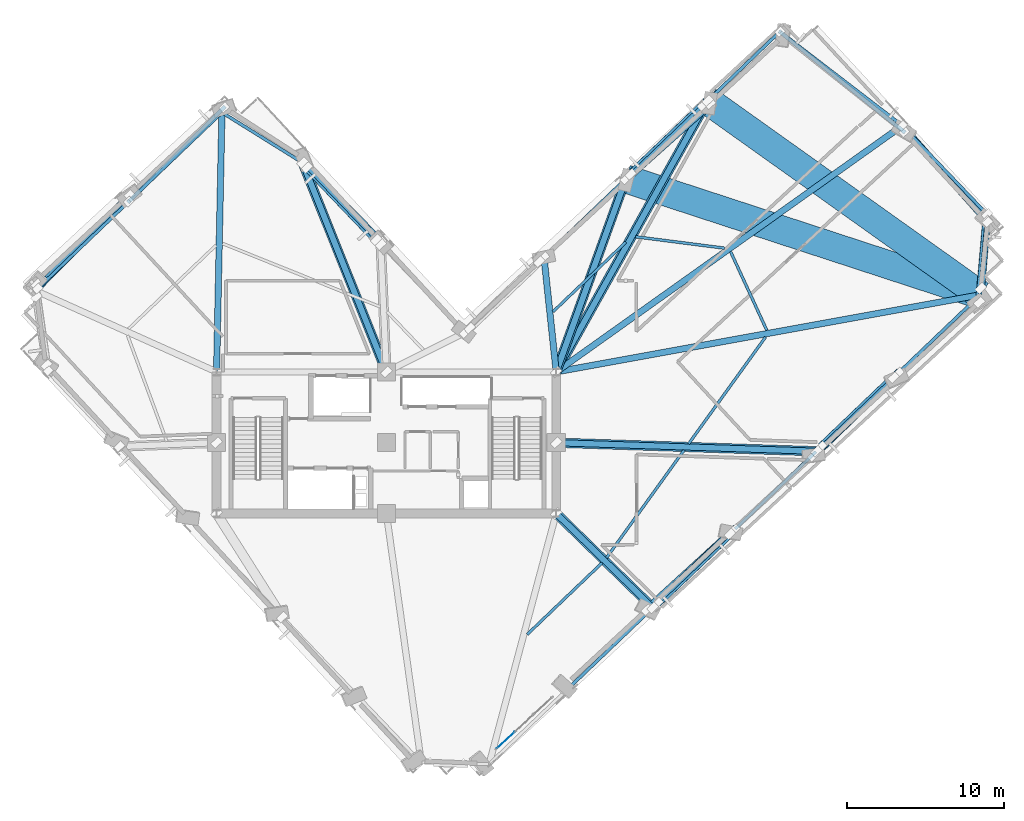
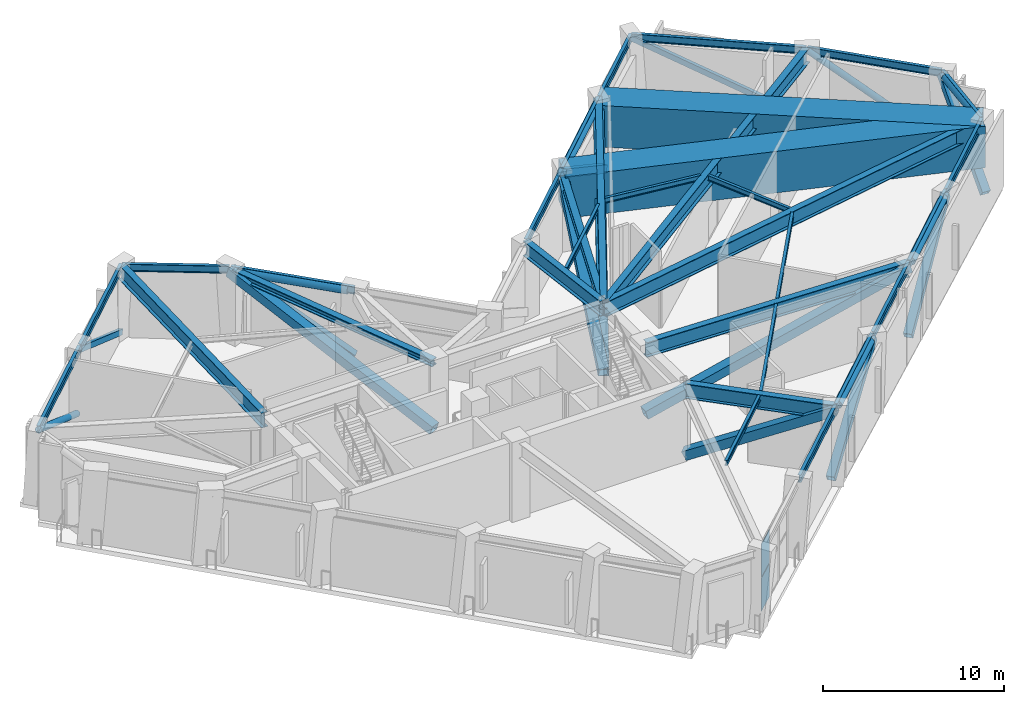
# One storey, part 4 of 15: 30 beams, 21 members, 2 plates, 1 element without a shape of its own.
"""IFC4 building model written with IfcOpenShell, lengths in metres."""

from ifc_helpers import new_model, si_unit, direction, frame, origin, origin_2d, place, context, subcontext, project, spatial, rectangle, hollow_rectangle, hollow_circle, i_section, extrude, material, layer, layer_set, material_profile, profile_set, type_object, element, aggregate, save


model = new_model("IFC4")

# Units and contexts
model_context = context("Model", 3, precision=1e-05, world=origin(), true_north=direction((0.0, 1.0)))
body_context = subcontext(model_context, "Body", "Model", "MODEL_VIEW")
ifc_project = project(units=[si_unit("LENGTHUNIT", "METRE"), si_unit("AREAUNIT", "SQUARE_METRE"), si_unit("VOLUMEUNIT", "CUBIC_METRE"), si_unit("PLANEANGLEUNIT", "RADIAN"), si_unit("MASSUNIT", "GRAM", prefix="KILO")], contexts=[model_context])

# Site, building, storey
site_placement = place(None, origin())
site = spatial("IfcSite", under=ifc_project, at=site_placement, CompositionType="ELEMENT")
building_placement = place(site_placement, origin())
building = spatial("IfcBuilding", under=site, at=building_placement, Name="Gaonmaruhae Medical Tower", CompositionType="ELEMENT")
storey_placement = place(building_placement, frame((0.0, 0.0, 205.800048828125)))
storey = spatial("IfcBuildingStorey", under=building, at=storey_placement, Name="L49", CompositionType="ELEMENT", Elevation=205.800048828125)

# Beams
ifc_material_1 = material(Name="Steel SM420", Category="steel")
ifc_material_profile_1 = material_profile(ifc_material_1, i_section(OverallWidth=0.39990234375, OverallDepth=1.0, WebThickness=0.02197265625, FlangeThickness=0.035888671875, at=origin_2d()), Name="BH-1000x400x22x36")
ifc_profile_set_1 = profile_set([ifc_material_profile_1], Name="Steel SM420")
beam_type_1 = type_object("IfcBeamType", Name="BG-02 Refuge Floor Primary Girder (BH-1000x400x22x36)", PredefinedType="BEAM", material=ifc_profile_set_1)
beam_1_placement = place(storey_placement, frame((35.6357421875, 7.76513671875, 4.679931640625), z_axis=(0.715659486404, -0.698449353583, 0.0), x_axis=(0.698449353583, 0.715659486404, 0.0)))
element("IfcBeam", 1, at=beam_1_placement, inside=storey, type_object=beam_type_1, Name="L49 Radial Primary Girder S03", PredefinedType="BEAM", context=body_context, shape_type="SweptSolid", body=[
    extrude(i_section(OverallWidth=0.39990234375, OverallDepth=1.0, WebThickness=0.02197265625, FlangeThickness=0.035888671875, at=origin_2d()), origin(), (0.0, 0.0, 1.0), 8.483154296875),
])
beam_2_placement = place(storey_placement, frame((35.64990234375, 12.29833984375, 4.679931640625), z_axis=(0.999456417926, -0.032967691259, 0.0), x_axis=(0.032967691259, 0.999456417926, 0.0)))
element("IfcBeam", 2, at=beam_2_placement, inside=storey, type_object=beam_type_1, Name="L49 Radial Primary Girder S05", PredefinedType="BEAM", context=body_context, shape_type="SweptSolid", body=[
    extrude(i_section(OverallWidth=0.39990234375, OverallDepth=1.0, WebThickness=0.02197265625, FlangeThickness=0.035888671875, at=origin_2d()), origin(), (0.0, 0.0, 1.0), 16.46240234375),
])
beam_3_placement = place(storey_placement, frame((35.649169921875, 16.808837890625, 4.659912109375), z_axis=(0.983869051759, 0.17889015901, 0.0), x_axis=(-0.17889015901, 0.983869051759, 0.0)))
element("IfcBeam", 3, at=beam_3_placement, inside=storey, type_object=beam_type_1, Name="L49 Radial Primary Girder S07", PredefinedType="BEAM", context=body_context, shape_type="SweptSolid", body=[
    extrude(i_section(OverallWidth=0.39990234375, OverallDepth=1.0, WebThickness=0.02197265625, FlangeThickness=0.035888671875, at=origin_2d()), origin(), (0.0, 0.0, 1.0), 27.305908203125),
])
beam_4_placement = place(storey_placement, frame((35.640625, 16.8291015625, 4.659912109375), z_axis=(0.814809053605, 0.579729424959, 0.0), x_axis=(-0.579729424959, 0.814809053605, 0.0)))
element("IfcBeam", 4, at=beam_4_placement, inside=storey, type_object=beam_type_1, Name="L49 Radial Primary Girder E02", PredefinedType="BEAM", context=body_context, shape_type="SweptSolid", body=[
    extrude(i_section(OverallWidth=0.39990234375, OverallDepth=1.0, WebThickness=0.02197265625, FlangeThickness=0.035888671875, at=origin_2d()), origin(), (0.0, 0.0, 1.0), 26.911865234375),
])
beam_5_placement = place(storey_placement, frame((35.624267578125, 16.84375, 4.679931640625), z_axis=(0.487575812064, 0.873080653485, 0.0), x_axis=(-0.873080653485, 0.487575812064, 0.0)))
element("IfcBeam", 5, at=beam_5_placement, inside=storey, type_object=beam_type_1, Name="L49 Radial Primary Girder EN01", PredefinedType="BEAM", context=body_context, shape_type="SweptSolid", body=[
    extrude(i_section(OverallWidth=0.39990234375, OverallDepth=1.0, WebThickness=0.02197265625, FlangeThickness=0.035888671875, at=origin_2d()), origin(), (0.0, 0.0, 1.0), 19.656494140625),
])
beam_6_placement = place(storey_placement, frame((35.5947265625, 16.849609375, 4.679931640625), z_axis=(-0.105993869018, 0.9943667833, 0.0), x_axis=(-0.9943667833, -0.105993869018, 0.0)))
element("IfcBeam", 6, at=beam_6_placement, inside=storey, type_object=beam_type_1, Name="L49 Radial Primary Girder EN03", PredefinedType="BEAM", context=body_context, shape_type="SweptSolid", body=[
    extrude(i_section(OverallWidth=0.39990234375, OverallDepth=1.0, WebThickness=0.02197265625, FlangeThickness=0.035888671875, at=origin_2d()), origin(), (0.0, 0.0, 1.0), 7.24169921875),
])
beam_7_placement = place(storey_placement, frame((14.0009765625, 16.85009765625, 4.679931640625), z_axis=(0.020747609712, 0.999784745178, 0.0), x_axis=(-0.999784745178, 0.020747609712, 0.0)))
element("IfcBeam", 7, at=beam_7_placement, inside=storey, type_object=beam_type_1, Name="L49 Radial Primary Girder N01", PredefinedType="BEAM", context=body_context, shape_type="SweptSolid", body=[
    extrude(i_section(OverallWidth=0.39990234375, OverallDepth=1.0, WebThickness=0.02197265625, FlangeThickness=0.035888671875, at=origin_2d()), origin(), (0.0, 0.0, 1.0), 16.4033203125),
])

# Members
ifc_material_2 = material(Name="Steel HSA650 (650 MPa)", Category="steel")
ifc_material_profile_2 = material_profile(ifc_material_2, hollow_circle(Radius=0.25390625, WallThickness=0.01611328125, at=origin_2d()), Name="CHS-508.0x16.0")
ifc_profile_set_2 = profile_set([ifc_material_profile_2], Name="Steel HSA650 (650 MPa)")
member_type_1 = type_object("IfcMemberType", Name="BT-C1 Belt Truss Perimeter Chord (CHS-508.0x16.0)", PredefinedType="CHORD", material=ifc_profile_set_2)
for number, where, z_axis, x_axis, name in (
    (8, (42.046142578125, 2.09521484375, 4.829833984375), (0.722970239206, 0.690879174112, 0.0), (-0.690879174112, 0.722970239206, 0.0), "L49 Belt Truss Top Chord BTC01"),
    (9, (52.456787109375, 12.0439453125, 4.829833984375), (0.722970239206, 0.690879174112, 0.0), (-0.690879174112, 0.722970239206, 0.0), "L49 Belt Truss Top Chord BTC02"),
):
    element("IfcMember", number, at=place(storey_placement, frame(where, z_axis=z_axis, x_axis=x_axis)), inside=storey, type_object=member_type_1, Name=name, PredefinedType="CHORD", context=body_context, shape_type="SweptSolid", body=[
        extrude(hollow_circle(Radius=0.25390625, WallThickness=0.01611328125, at=origin_2d()), origin(), (0.0, 0.0, 1.0), 6.360107421875),
    ])
member_1_placement = place(storey_placement, frame((62.599365234375, 22.12109375, 4.829833984375), z_axis=(0.084611376534, 0.996414027883, 0.0), x_axis=(-0.996414027883, 0.084611376534, 0.0)))
element("IfcMember", 10, at=member_1_placement, inside=storey, type_object=member_type_1, Name="L49 Belt Truss Top Chord BTC03", PredefinedType="CHORD", context=body_context, shape_type="SweptSolid", body=[
    extrude(hollow_circle(Radius=0.25390625, WallThickness=0.01611328125, at=origin_2d()), origin(), (0.0, 0.0, 1.0), 4.29638671875),
])
member_2_placement = place(storey_placement, frame((44.928955078125, 33.7587890625, 4.829833984375), z_axis=(-0.722989412891, -0.69085910926, 0.0), x_axis=(0.69085910926, -0.722989412891, 0.0)))
element("IfcMember", 11, at=member_2_placement, inside=storey, type_object=member_type_1, Name="L49 Belt Truss Top Chord BTC04", PredefinedType="CHORD", context=body_context, shape_type="SweptSolid", body=[
    extrude(hollow_circle(Radius=0.25390625, WallThickness=0.01611328125, at=origin_2d()), origin(), (0.0, 0.0, 1.0), 6.35986328125),
])
member_3_placement = place(storey_placement, frame((24.15283203125, 25.205322265625, 4.829833984375), z_axis=(-0.690879174112, 0.722970239206, 0.0), x_axis=(-0.722970239206, -0.690879174112, 0.0)))
element("IfcMember", 12, at=member_3_placement, inside=storey, type_object=member_type_1, Name="L49 Belt Truss Top Chord BTC06", PredefinedType="CHORD", context=body_context, shape_type="SweptSolid", body=[
    extrude(hollow_circle(Radius=0.25390625, WallThickness=0.01611328125, at=origin_2d()), origin(), (0.0, 0.0, 1.0), 6.360107421875),
])
ifc_material_profile_3 = material_profile(ifc_material_2, hollow_rectangle(XDim=0.5, YDim=0.5, WallThickness=0.02197265625, at=origin_2d()), Name="RHS-500x500x22")
ifc_profile_set_3 = profile_set([ifc_material_profile_3], Name="Steel HSA650 (650 MPa)")
member_type_2 = type_object("IfcMemberType", Name="BT-D1 Belt Truss Diagonal Heavy (RHS-500x500x22)", PredefinedType="BRACE", material=ifc_profile_set_3)
member_4_placement = place(storey_placement, frame((41.360107421875, 1.67333984375, 0.349853515625), z_axis=(0.63526626079, 0.580530163168, 0.509334376961), x_axis=(-0.674588979587, 0.738193544146, 0.0)))
element("IfcMember", 13, at=member_4_placement, inside=storey, type_object=member_type_2, Name="L49 Belt Truss Diagonal BTD01", PredefinedType="BRACE", context=body_context, shape_type="SweptSolid", body=[
    extrude(hollow_rectangle(XDim=0.5, YDim=0.5, WallThickness=0.02197265625, at=origin_2d()), origin(), (0.0, 0.0, 1.0), 8.795654296875),
])
member_5_placement = place(storey_placement, frame((51.934326171875, 11.447998046875, 0.349853515625), z_axis=(0.616659556593, 0.600284134035, 0.509303396502), x_axis=(-0.697528672164, 0.716556872487, 0.0)))
element("IfcMember", 14, at=member_5_placement, inside=storey, type_object=member_type_2, Name="L49 Belt Truss Diagonal BTD02", PredefinedType="BRACE", context=body_context, shape_type="SweptSolid", body=[
    extrude(hollow_rectangle(XDim=0.5, YDim=0.5, WallThickness=0.02197265625, at=origin_2d()), origin(), (0.0, 0.0, 1.0), 8.79638671875),
])
member_6_placement = place(storey_placement, frame((62.508544921875, 21.22265625, 0.349853515625), z_axis=(0.068147551989, 0.778940787418, 0.623383638585), x_axis=(-0.996194802077, 0.087154554188, 0.0)))
element("IfcMember", 15, at=member_6_placement, inside=storey, type_object=member_type_2, Name="L49 Belt Truss Diagonal BTD03", PredefinedType="BRACE", context=body_context, shape_type="SweptSolid", body=[
    extrude(hollow_rectangle(XDim=0.5, YDim=0.5, WallThickness=0.02197265625, at=origin_2d()), origin(), (0.0, 0.0, 1.0), 7.1865234375),
])
member_7_placement = place(storey_placement, frame((45.38427734375, 33.85498046875, 0.349853515625), z_axis=(-0.633002228731, -0.564861163, 0.529377034783), x_axis=(0.665806262393, -0.74612466851, 0.0)))
element("IfcMember", 16, at=member_7_placement, inside=storey, type_object=member_type_2, Name="L49 Belt Truss Diagonal BTD04", PredefinedType="BRACE", context=body_context, shape_type="SweptSolid", body=[
    extrude(hollow_rectangle(XDim=0.5, YDim=0.5, WallThickness=0.02197265625, at=origin_2d()), origin(), (0.0, 0.0, 1.0), 8.462646484375),
])
member_8_placement = place(storey_placement, frame((24.44580078125, 25.053466796875, 0.349853515625), z_axis=(-0.593276816348, 0.602385348428, 0.533998605974), x_axis=(-0.712472834067, -0.701699694112, 0.0)))
element("IfcMember", 17, at=member_8_placement, inside=storey, type_object=member_type_2, Name="L49 Belt Truss Diagonal BTD06", PredefinedType="BRACE", context=body_context, shape_type="SweptSolid", body=[
    extrude(hollow_rectangle(XDim=0.5, YDim=0.5, WallThickness=0.02197265625, at=origin_2d()), origin(), (0.0, 0.0, 1.0), 8.389404296875),
])

# Beams
ifc_material_3 = material(Name="Steel SM355", Category="steel")
ifc_material_profile_4 = material_profile(ifc_material_3, i_section(OverallWidth=0.175048828125, OverallDepth=0.35009765625, WebThickness=0.007080078125, FlangeThickness=0.010986328125, FilletRadius=0.012939453125, at=origin_2d()), Name="H-350x175x7x11")
ifc_profile_set_4 = profile_set([ifc_material_profile_4], Name="Steel SM355")
beam_type_2 = type_object("IfcBeamType", Name="FJ-02 Upper Zone Ward Floor Joist (H-350x175x7x11)", PredefinedType="JOIST", material=ifc_profile_set_4)
beam_8_placement = place(storey_placement, frame((33.748291015625, 0.09814453125, 5.0048828125), z_axis=(0.72297099226, 0.690878386078, 0.0), x_axis=(-0.690878386078, 0.72297099226, 0.0)))
element("IfcBeam", 18, at=beam_8_placement, inside=storey, type_object=beam_type_2, Name="L49 Secondary Floor Joist FJ01", PredefinedType="JOIST", context=body_context, shape_type="SweptSolid", body=[
    extrude(i_section(OverallWidth=0.175048828125, OverallDepth=0.35009765625, WebThickness=0.007080078125, FlangeThickness=0.010986328125, FilletRadius=0.012939453125, at=origin_2d()), origin(), (0.0, 0.0, 1.0), 6.603271484375),
])
beam_9_placement = place(storey_placement, frame((38.79296875, 4.971435546875, 5.0048828125), z_axis=(0.584573395383, 0.81134083184, 0.0), x_axis=(-0.81134083184, 0.584573395383, 0.0)))
element("IfcBeam", 19, at=beam_9_placement, inside=storey, type_object=beam_type_2, Name="L49 Secondary Floor Joist FJ02", PredefinedType="JOIST", context=body_context, shape_type="SweptSolid", body=[
    extrude(i_section(OverallWidth=0.175048828125, OverallDepth=0.35009765625, WebThickness=0.007080078125, FlangeThickness=0.010986328125, FilletRadius=0.012939453125, at=origin_2d()), origin(), (0.0, 0.0, 1.0), 8.44921875),
])
beam_10_placement = place(storey_placement, frame((44.02099609375, 12.227294921875, 5.0048828125), z_axis=(0.584588467571, 0.811329972072, 0.0), x_axis=(-0.811329972072, 0.584588467571, 0.0)))
element("IfcBeam", 20, at=beam_10_placement, inside=storey, type_object=beam_type_2, Name="L49 Secondary Floor Joist FJ03", PredefinedType="JOIST", context=body_context, shape_type="SweptSolid", body=[
    extrude(i_section(OverallWidth=0.175048828125, OverallDepth=0.35009765625, WebThickness=0.007080078125, FlangeThickness=0.010986328125, FilletRadius=0.012939453125, at=origin_2d()), origin(), (0.0, 0.0, 1.0), 8.363037109375),
])
beam_11_placement = place(storey_placement, frame((48.9931640625, 19.4443359375, 5.0048828125), z_axis=(-0.41835989201, 0.908281344495, 0.0), x_axis=(-0.908281344495, -0.41835989201, 0.0)))
element("IfcBeam", 21, at=beam_11_placement, inside=storey, type_object=beam_type_2, Name="L49 Secondary Floor Joist FJ04", PredefinedType="JOIST", context=body_context, shape_type="SweptSolid", body=[
    extrude(i_section(OverallWidth=0.175048828125, OverallDepth=0.35009765625, WebThickness=0.007080078125, FlangeThickness=0.010986328125, FilletRadius=0.012939453125, at=origin_2d()), origin(), (0.0, 0.0, 1.0), 5.49951171875),
])
beam_12_placement = place(storey_placement, frame((46.306640625, 24.668212890625, 5.0048828125), z_axis=(-0.991859137615, 0.127339903921, 0.0), x_axis=(-0.127339903921, -0.991859137615, 0.0)))
element("IfcBeam", 22, at=beam_12_placement, inside=storey, type_object=beam_type_2, Name="L49 Secondary Floor Joist FJ05", PredefinedType="JOIST", context=body_context, shape_type="SweptSolid", body=[
    extrude(i_section(OverallWidth=0.175048828125, OverallDepth=0.35009765625, WebThickness=0.007080078125, FlangeThickness=0.010986328125, FilletRadius=0.012939453125, at=origin_2d()), origin(), (0.0, 0.0, 1.0), 5.71728515625),
])
beam_13_placement = place(storey_placement, frame((40.031494140625, 25.056884765625, 5.0048828125), z_axis=(-0.722961094995, -0.690888742941, 0.0), x_axis=(0.690888742941, -0.722961094995, 0.0)))
element("IfcBeam", 23, at=beam_13_placement, inside=storey, type_object=beam_type_2, Name="L49 Secondary Floor Joist FJ06", PredefinedType="JOIST", context=body_context, shape_type="SweptSolid", body=[
    extrude(i_section(OverallWidth=0.175048828125, OverallDepth=0.35009765625, WebThickness=0.007080078125, FlangeThickness=0.010986328125, FilletRadius=0.012939453125, at=origin_2d()), origin(), (0.0, 0.0, 1.0), 6.409423828125),
])

# Members
ifc_material_profile_5 = material_profile(ifc_material_2, i_section(OverallWidth=0.4169921875, OverallDepth=0.4580078125, WebThickness=0.030029296875, FlangeThickness=0.050048828125, FilletRadius=0.02197265625, at=origin_2d()), Name="H-458x417x30x50")
ifc_profile_set_5 = profile_set([ifc_material_profile_5], Name="Steel HSA650 (650 MPa)")
member_type_3 = type_object("IfcMemberType", Name="OT-C1 Outrigger Truss Chord (H-458x417x30x50)", PredefinedType="CHORD", material=ifc_profile_set_5)
member_9_placement = place(storey_placement, frame((35.60009765625, 16.800048828125, 4.829833984375), z_axis=(0.339287199544, 0.940682835086, 0.0), x_axis=(-0.940682835086, 0.339287199544, 0.0)))
element("IfcMember", 24, at=member_9_placement, inside=storey, type_object=member_type_3, Name="L49 Outrigger Truss Chord OTC04", PredefinedType="CHORD", context=body_context, shape_type="SweptSolid", body=[
    extrude(i_section(OverallWidth=0.4169921875, OverallDepth=0.4580078125, WebThickness=0.030029296875, FlangeThickness=0.050048828125, FilletRadius=0.02197265625, at=origin_2d()), origin(), (0.0, 0.0, 1.0), 13.048583984375),
])
member_10_placement = place(storey_placement, frame((24.800048828125, 16.800048828125, 4.829833984375), z_axis=(-0.371913279398, 0.928267479021, 0.0), x_axis=(-0.928267479021, -0.371913279398, 0.0)))
element("IfcMember", 25, at=member_10_placement, inside=storey, type_object=member_type_3, Name="L49 Outrigger Truss Chord OTC06", PredefinedType="CHORD", context=body_context, shape_type="SweptSolid", body=[
    extrude(i_section(OverallWidth=0.4169921875, OverallDepth=0.4580078125, WebThickness=0.030029296875, FlangeThickness=0.050048828125, FilletRadius=0.02197265625, at=origin_2d()), origin(), (0.0, 0.0, 1.0), 14.33544921875),
])
ifc_material_profile_6 = material_profile(ifc_material_2, hollow_rectangle(XDim=0.60009765625, YDim=0.60009765625, WallThickness=0.028076171875, at=origin_2d()), Name="RHS-600x600x28")
ifc_profile_set_6 = profile_set([ifc_material_profile_6], Name="Steel HSA650 (650 MPa)")
member_type_4 = type_object("IfcMemberType", Name="OT-D2 Outrigger Truss Diagonal Upper (RHS-600x600x28)", PredefinedType="BRACE", material=ifc_profile_set_6)
member_11_placement = place(storey_placement, frame((35.60009765625, 7.800048828125, 0.349853515625), z_axis=(0.634421532364, -0.619190775754, 0.462722489721), x_axis=(0.698464242473, 0.715644955258, 0.0)))
element("IfcMember", 26, at=member_11_placement, inside=storey, type_object=member_type_4, Name="L49 Outrigger Truss Diagonal OTD01", PredefinedType="BRACE", context=body_context, shape_type="SweptSolid", body=[
    extrude(hollow_rectangle(XDim=0.60009765625, YDim=0.60009765625, WallThickness=0.028076171875, at=origin_2d()), origin(), (0.0, 0.0, 1.0), 9.681884765625),
])
member_12_placement = place(storey_placement, frame((35.60009765625, 12.300048828125, 0.349853515625), z_axis=(0.964783076075, -0.031831680081, 0.261113692217), x_axis=(0.032975670242, 0.999456154702, 0.0)))
element("IfcMember", 27, at=member_12_placement, inside=storey, type_object=member_type_4, Name="L49 Outrigger Truss Diagonal OTD02", PredefinedType="BRACE", context=body_context, shape_type="SweptSolid", body=[
    extrude(hollow_rectangle(XDim=0.60009765625, YDim=0.60009765625, WallThickness=0.028076171875, at=origin_2d()), origin(), (0.0, 0.0, 1.0), 17.1572265625),
])
member_13_placement = place(storey_placement, frame((35.60009765625, 16.800048828125, 0.349853515625), z_axis=(0.475495208272, 0.851468443919, 0.221146548518), x_axis=(-0.873085528409, 0.48756708265, 0.0)))
element("IfcMember", 28, at=member_13_placement, inside=storey, type_object=member_type_4, Name="L49 Outrigger Truss Diagonal OTD03", PredefinedType="BRACE", context=body_context, shape_type="SweptSolid", body=[
    extrude(hollow_rectangle(XDim=0.60009765625, YDim=0.60009765625, WallThickness=0.028076171875, at=origin_2d()), origin(), (0.0, 0.0, 1.0), 20.258056640625),
])
member_14_placement = place(storey_placement, frame((35.60009765625, 16.800048828125, 0.349853515625), z_axis=(0.320900911216, 0.88970635895, 0.324723266836), x_axis=(-0.940682835086, 0.339287199544, 0.0)))
element("IfcMember", 29, at=member_14_placement, inside=storey, type_object=member_type_4, Name="L49 Outrigger Truss Diagonal OTD04", PredefinedType="BRACE", context=body_context, shape_type="SweptSolid", body=[
    extrude(hollow_rectangle(XDim=0.60009765625, YDim=0.60009765625, WallThickness=0.028076171875, at=origin_2d()), origin(), (0.0, 0.0, 1.0), 13.79638671875),
])
member_15_placement = place(storey_placement, frame((24.800048828125, 16.800048828125, 0.349853515625), z_axis=(-0.354982697315, 0.886010023805, 0.298284297817), x_axis=(-0.928267479021, -0.371913279398, 0.0)))
element("IfcMember", 30, at=member_15_placement, inside=storey, type_object=member_type_4, Name="L49 Outrigger Truss Diagonal OTD06", PredefinedType="BRACE", context=body_context, shape_type="SweptSolid", body=[
    extrude(hollow_rectangle(XDim=0.60009765625, YDim=0.60009765625, WallThickness=0.028076171875, at=origin_2d()), origin(), (0.0, 0.0, 1.0), 15.01904296875),
])
ifc_material_profile_7 = material_profile(ifc_material_1, hollow_circle(Radius=0.203125, WallThickness=0.0126953125, at=origin_2d()), Name="CHS-406.4x12.7")
ifc_profile_set_7 = profile_set([ifc_material_profile_7], Name="Steel SM420")
member_type_5 = type_object("IfcMemberType", Name="PB-02 Perimeter Solid-Bay Tube Brace Mid (CHS-406.4x12.7)", PredefinedType="BRACE", material=ifc_profile_set_7)
member_16_placement = place(storey_placement, frame((63.02783203125, 26.332763671875, 0.25), z_axis=(-0.57499851972, 0.650183060777, 0.496627314793), x_axis=(-0.749089991019, -0.662468252338, 0.0)))
element("IfcMember", 31, at=member_16_placement, inside=storey, type_object=member_type_5, Name="L49 Perimeter Tube Solid-Bay Brace E01-E02", PredefinedType="BRACE", context=body_context, shape_type="SweptSolid", body=[
    extrude(hollow_circle(Radius=0.203125, WallThickness=0.0126953125, at=origin_2d()), origin(), (0.0, 0.0, 1.0), 9.42333984375),
])
member_17_placement = place(storey_placement, frame((8.464599609375, 28.052001953125, 0.25), z_axis=(-0.614558051046, -0.625213642906, 0.481067877351), x_axis=(0.713157883531, -0.701003447323, 0.0)))
element("IfcMember", 32, at=member_17_placement, inside=storey, type_object=member_type_5, Name="L49 Perimeter Tube Solid-Bay Brace N02-N03", PredefinedType="BRACE", context=body_context, shape_type="SweptSolid", body=[
    extrude(hollow_circle(Radius=0.203125, WallThickness=0.0126953125, at=origin_2d()), origin(), (0.0, 0.0, 1.0), 9.508544921875),
])

# Beams
ifc_material_profile_8 = material_profile(ifc_material_3, i_section(OverallWidth=0.199951171875, OverallDepth=0.5, WebThickness=0.010009765625, FlangeThickness=0.01611328125, FilletRadius=0.012939453125, at=origin_2d()), Name="H-500x200x10x16")
ifc_profile_set_8 = profile_set([ifc_material_profile_8], Name="Steel SM355")
beam_type_3 = type_object("IfcBeamType", Name="SP-02 Upper Perimeter Spandrel Beam (H-500x200x10x16)", PredefinedType="SPANDREL", material=ifc_profile_set_8)
for number, where, z_axis, x_axis, name in (
    (33, (36.56591796875, -3.1416015625, 4.929931640625), (0.722971661417, 0.690877685838, 0.0), (-0.690877685838, 0.722971661417, 0.0), "L49 Perimeter Spandrel Beam S02-S03"),
    (34, (41.771484375, 1.832763671875, 4.929931640625), (0.722955294527, 0.690894812627, 0.0), (-0.690894812627, 0.722955294527, 0.0), "L49 Perimeter Spandrel Beam S03-S04"),
    (35, (46.976806640625, 6.80712890625, 4.929931640625), (0.722955294527, 0.690894812627, 0.0), (-0.690894812627, 0.722955294527, 0.0), "L49 Perimeter Spandrel Beam S04-S05"),
    (36, (52.18212890625, 11.781494140625, 4.929931640625), (0.722955294527, 0.690894812627, 0.0), (-0.690894812627, 0.722955294527, 0.0), "L49 Perimeter Spandrel Beam S05-S06"),
    (37, (57.387451171875, 16.755859375, 4.909912109375), (0.722955294527, 0.690894812627, 0.0), (-0.690894812627, 0.722955294527, 0.0), "L49 Perimeter Spandrel Beam S06-S07"),
):
    element("IfcBeam", number, at=place(storey_placement, frame(where, z_axis=z_axis, x_axis=x_axis)), inside=storey, type_object=beam_type_3, Name=name, PredefinedType="SPANDREL", context=body_context, shape_type="SweptSolid", body=[
        extrude(i_section(OverallWidth=0.199951171875, OverallDepth=0.5, WebThickness=0.010009765625, FlangeThickness=0.01611328125, FilletRadius=0.012939453125, at=origin_2d()), origin(), (0.0, 0.0, 1.0), 7.1201171875),
    ])
beam_14_placement = place(storey_placement, frame((62.5673828125, 21.742431640625, 4.909912109375), z_axis=(0.084543829154, 0.996419761422, 0.0), x_axis=(-0.996419761422, 0.084543829154, 0.0)))
element("IfcBeam", 38, at=beam_14_placement, inside=storey, type_object=beam_type_3, Name="L49 Perimeter Spandrel Beam S07-E01", PredefinedType="SPANDREL", context=body_context, shape_type="SweptSolid", body=[
    extrude(i_section(OverallWidth=0.199951171875, OverallDepth=0.5, WebThickness=0.010009765625, FlangeThickness=0.01611328125, FilletRadius=0.012939453125, at=origin_2d()), origin(), (0.0, 0.0, 1.0), 5.056396484375),
])
beam_15_placement = place(storey_placement, frame((62.970703125, 26.849365234375, 4.909912109375), z_axis=(-0.690875036816, 0.722974192834, 0.0), x_axis=(-0.722974192834, -0.690875036816, 0.0)))
element("IfcBeam", 39, at=beam_15_placement, inside=storey, type_object=beam_type_3, Name="L49 Perimeter Spandrel Beam E01-E02", PredefinedType="SPANDREL", context=body_context, shape_type="SweptSolid", body=[
    extrude(i_section(OverallWidth=0.199951171875, OverallDepth=0.5, WebThickness=0.010009765625, FlangeThickness=0.01611328125, FilletRadius=0.012939453125, at=origin_2d()), origin(), (0.0, 0.0, 1.0), 7.719970703125),
])
beam_16_placement = place(storey_placement, frame((57.57763671875, 32.484130859375, 4.909912109375), z_axis=(-0.793248197207, 0.608898429648, 0.0), x_axis=(-0.608898429648, -0.793248197207, 0.0)))
element("IfcBeam", 40, at=beam_16_placement, inside=storey, type_object=beam_type_3, Name="L49 Perimeter Spandrel Beam E02-E03", PredefinedType="SPANDREL", context=body_context, shape_type="SweptSolid", body=[
    extrude(i_section(OverallWidth=0.199951171875, OverallDepth=0.5, WebThickness=0.010009765625, FlangeThickness=0.01611328125, FilletRadius=0.012939453125, at=origin_2d()), origin(), (0.0, 0.0, 1.0), 9.735107421875),
])
beam_17_placement = place(storey_placement, frame((49.79443359375, 38.408447265625, 4.909912109375), z_axis=(-0.722967351885, -0.690882195535, 0.0), x_axis=(0.690882195535, -0.722967351885, 0.0)))
element("IfcBeam", 41, at=beam_17_placement, inside=storey, type_object=beam_type_3, Name="L49 Perimeter Spandrel Beam E03-EN01", PredefinedType="SPANDREL", context=body_context, shape_type="SweptSolid", body=[
    extrude(i_section(OverallWidth=0.199951171875, OverallDepth=0.5, WebThickness=0.010009765625, FlangeThickness=0.01611328125, FilletRadius=0.012939453125, at=origin_2d()), origin(), (0.0, 0.0, 1.0), 6.27001953125),
])
for number, where, z_axis, x_axis, name in (
    (42, (45.20361328125, 34.021484375, 4.929931640625), (-0.722955294527, -0.690894812627, 0.0), (0.690894812627, -0.722955294527, 0.0), "L49 Perimeter Spandrel Beam EN01-EN02"),
    (43, (39.998291015625, 29.047119140625, 4.929931640625), (-0.722955294527, -0.690894812627, 0.0), (0.690894812627, -0.722955294527, 0.0), "L49 Perimeter Spandrel Beam EN02-EN03"),
    (44, (24.415283203125, 24.9306640625, 4.909912109375), (-0.690894812627, 0.722955294527, 0.0), (-0.722955294527, -0.690894812627, 0.0), "L49 Perimeter Spandrel Beam NE01-NE02"),
):
    element("IfcBeam", number, at=place(storey_placement, frame(where, z_axis=z_axis, x_axis=x_axis)), inside=storey, type_object=beam_type_3, Name=name, PredefinedType="SPANDREL", context=body_context, shape_type="SweptSolid", body=[
        extrude(i_section(OverallWidth=0.199951171875, OverallDepth=0.5, WebThickness=0.010009765625, FlangeThickness=0.01611328125, FilletRadius=0.012939453125, at=origin_2d()), origin(), (0.0, 0.0, 1.0), 7.1201171875),
    ])
beam_18_placement = place(storey_placement, frame((19.4345703125, 30.128173828125, 4.909912109375), z_axis=(-0.848784515537, 0.528738920626, 0.0), x_axis=(-0.528738920626, -0.848784515537, 0.0)))
element("IfcBeam", 45, at=beam_18_placement, inside=storey, type_object=beam_type_3, Name="L49 Perimeter Spandrel Beam NE02-N01", PredefinedType="SPANDREL", context=body_context, shape_type="SweptSolid", body=[
    extrude(i_section(OverallWidth=0.199951171875, OverallDepth=0.5, WebThickness=0.010009765625, FlangeThickness=0.01611328125, FilletRadius=0.012939453125, at=origin_2d()), origin(), (0.0, 0.0, 1.0), 5.959228515625),
])
beam_19_placement = place(storey_placement, frame((14.3134765625, 33.2724609375, 4.929931640625), z_axis=(-0.722965660555, -0.690883965408, 0.0), x_axis=(0.690883965408, -0.722965660555, 0.0)))
element("IfcBeam", 46, at=beam_19_placement, inside=storey, type_object=beam_type_3, Name="L49 Perimeter Spandrel Beam N01-N02", PredefinedType="SPANDREL", context=body_context, shape_type="SweptSolid", body=[
    extrude(i_section(OverallWidth=0.199951171875, OverallDepth=0.5, WebThickness=0.010009765625, FlangeThickness=0.01611328125, FilletRadius=0.012939453125, at=origin_2d()), origin(), (0.0, 0.0, 1.0), 8.119873046875),
])
beam_20_placement = place(storey_placement, frame((8.38525390625, 27.607177734375, 4.929931640625), z_axis=(-0.72298001178, -0.690868947462, 0.0), x_axis=(0.690868947462, -0.72298001178, 0.0)))
element("IfcBeam", 47, at=beam_20_placement, inside=storey, type_object=beam_type_3, Name="L49 Perimeter Spandrel Beam N02-N03", PredefinedType="SPANDREL", context=body_context, shape_type="SweptSolid", body=[
    extrude(i_section(OverallWidth=0.199951171875, OverallDepth=0.5, WebThickness=0.010009765625, FlangeThickness=0.01611328125, FilletRadius=0.012939453125, at=origin_2d()), origin(), (0.0, 0.0, 1.0), 8.1201171875),
])

# Members
ifc_material_profile_9 = material_profile(ifc_material_3, hollow_rectangle(XDim=0.25, YDim=0.35009765625, WallThickness=0.011962890625, at=origin_2d()), Name="RHS-350x250x12")
ifc_profile_set_9 = profile_set([ifc_material_profile_9], Name="Steel SM355")
member_type_6 = type_object("IfcMemberType", Name="ST-M2 Refuge Core Bracing Strut (RHS-350x250x12)", PredefinedType="STRUT", material=ifc_profile_set_9)
member_18_placement = place(storey_placement, frame((57.733154296875, 32.060546875, 0.300048828125), z_axis=(-0.709781084008, 0.57211010642, 0.410975472403), x_axis=(-0.627557028225, -0.778570598164, 0.0)))
element("IfcMember", 48, at=member_18_placement, inside=storey, type_object=member_type_6, Name="L49 Refuge Solid-Bay Bracing Strut 1", PredefinedType="STRUT", context=body_context, shape_type="SweptSolid", body=[
    extrude(hollow_rectangle(XDim=0.25, YDim=0.35009765625, WallThickness=0.011962890625, at=origin_2d()), origin(), (0.0, 0.0, 1.0), 11.143798828125),
])
member_19_placement = place(storey_placement, frame((14.486083984375, 33.6181640625, 0.300048828125), z_axis=(-0.627465885617, -0.618307825367, 0.473267361517), x_axis=(0.701889659469, -0.71228569123, 0.0)))
element("IfcMember", 49, at=member_19_placement, inside=storey, type_object=member_type_6, Name="L49 Refuge Solid-Bay Bracing Strut 2", PredefinedType="STRUT", context=body_context, shape_type="SweptSolid", body=[
    extrude(hollow_rectangle(XDim=0.25, YDim=0.35009765625, WallThickness=0.011962890625, at=origin_2d()), origin(), (0.0, 0.0, 1.0), 9.677001953125),
])

# Beams
ifc_material_4 = material(Name="Concrete C60/75", Category="concrete")
ifc_material_profile_10 = material_profile(ifc_material_4, rectangle(XDim=1.800048828125, YDim=2.800048828125, at=origin_2d()), Name="TG-1800x2800")
ifc_profile_set_10 = profile_set([ifc_material_profile_10], Name="Concrete C60/75")
beam_type_4 = type_object("IfcBeamType", Name="TG-03 Long-Span Setback & Arch Transfer Girder (TG-1800x2800)", PredefinedType="BEAM", material=ifc_profile_set_10)
beam_21_placement = place(storey_placement, frame((62.56396484375, 21.70263671875, 3.760009765625), z_axis=(-0.950441390887, 0.31090378333, 0.0), x_axis=(-0.31090378333, -0.950441390887, 0.0)))
element("IfcBeam", 50, at=beam_21_placement, inside=storey, type_object=beam_type_4, Name="L49 Setback Transfer Girder E01", PredefinedType="BEAM", context=body_context, shape_type="SweptSolid", body=[
    extrude(rectangle(XDim=1.800048828125, YDim=2.800048828125, at=origin_2d()), origin(), (0.0, 0.0, 1.0), 23.711669921875),
])
beam_22_placement = place(storey_placement, frame((62.56396484375, 21.70263671875, 3.760009765625), z_axis=(-0.814467722794, 0.580208866295, 0.0), x_axis=(-0.580208866295, -0.814467722794, 0.0)))
element("IfcBeam", 51, at=beam_22_placement, inside=storey, type_object=beam_type_4, Name="L49 Setback Transfer Girder E02", PredefinedType="BEAM", context=body_context, shape_type="SweptSolid", body=[
    extrude(rectangle(XDim=1.800048828125, YDim=2.800048828125, at=origin_2d()), origin(), (0.0, 0.0, 1.0), 21.279296875),
])

# Curtain wall, plates
ifc_material_5 = material(Name="Anodised aluminium and Low-E double glazing", Category="aluminium")
curtain_wall_type = type_object("IfcCurtainWallType", Name="CW-S2 Express Sky Lobby Feature Curtain Wall", PredefinedType="NOTDEFINED", material=ifc_material_5)
curtain_wall_placement = place(storey_placement, origin())
curtain_wall = element("IfcCurtainWall", 52, at=curtain_wall_placement, inside=storey, type_object=curtain_wall_type, Name="L49 Curtain Wall CW-L49-S01", PredefinedType="NOTDEFINED")
ifc_material_6 = material(Name="Low-E double solar glass", Category="glass")
ifc_layer = layer(ifc_material_6, 0.028076171875)
ifc_layer_set = layer_set([ifc_layer], Name="Low-E double solar glass")
plate_type = type_object("IfcPlateType", Name="CWP-V1 Low-E Double Vision Glazing Panel", PredefinedType="CURTAIN_PANEL", material=ifc_layer_set)
plate_1_placement = place(storey_placement, frame((32.388671875, -6.619873046875, 0.06494140625), z_axis=(0.0, 0.0, 1.0), x_axis=(-0.734319744031, -0.678803737119, 0.0)))
plate_1 = element("IfcPlate", 53, at=plate_1_placement, type_object=plate_type, Name="CW-S2 panel 3.1", PredefinedType="CURTAIN_PANEL", context=body_context, shape_type="SweptSolid", body=[
    extrude(rectangle(XDim=1.505126953125, YDim=0.028076171875, at=origin_2d()), origin(), (0.0, 0.0, 1.0), 2.235107421875),
])
plate_2_placement = place(storey_placement, frame((32.388671875, -6.619873046875, 2.36474609375), z_axis=(0.0, 0.0, 1.0), x_axis=(-0.734319744031, -0.678803737119, 0.0)))
plate_2 = element("IfcPlate", 54, at=plate_2_placement, type_object=plate_type, Name="CW-S2 panel 3.2", PredefinedType="CURTAIN_PANEL", context=body_context, shape_type="SweptSolid", body=[
    extrude(rectangle(XDim=1.505126953125, YDim=0.028076171875, at=origin_2d()), origin(), (0.0, 0.0, 1.0), 2.235107421875),
])
aggregate(curtain_wall, [plate_1, plate_2])

save(model, "model.ifc")
